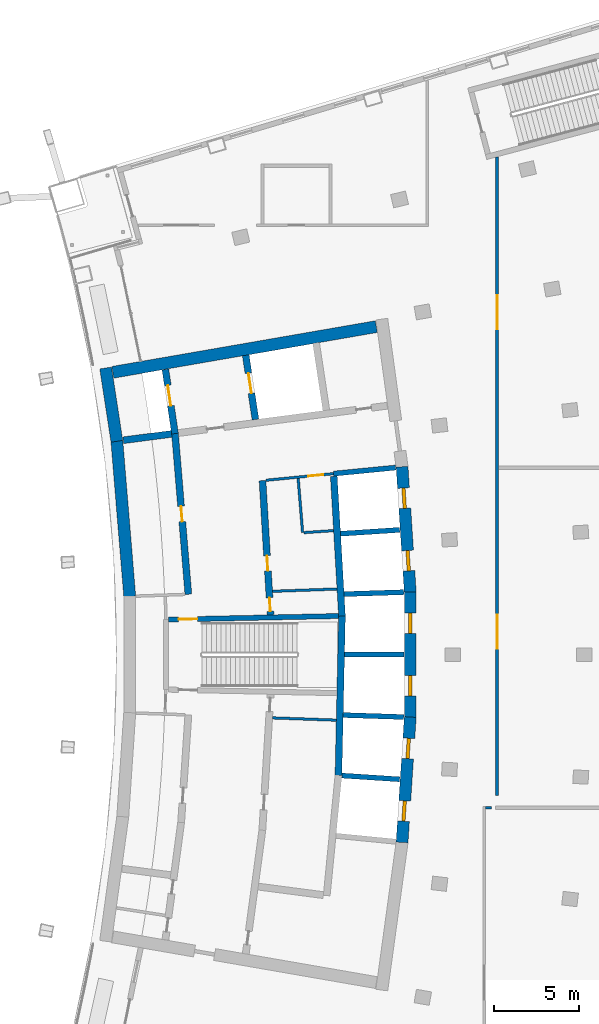
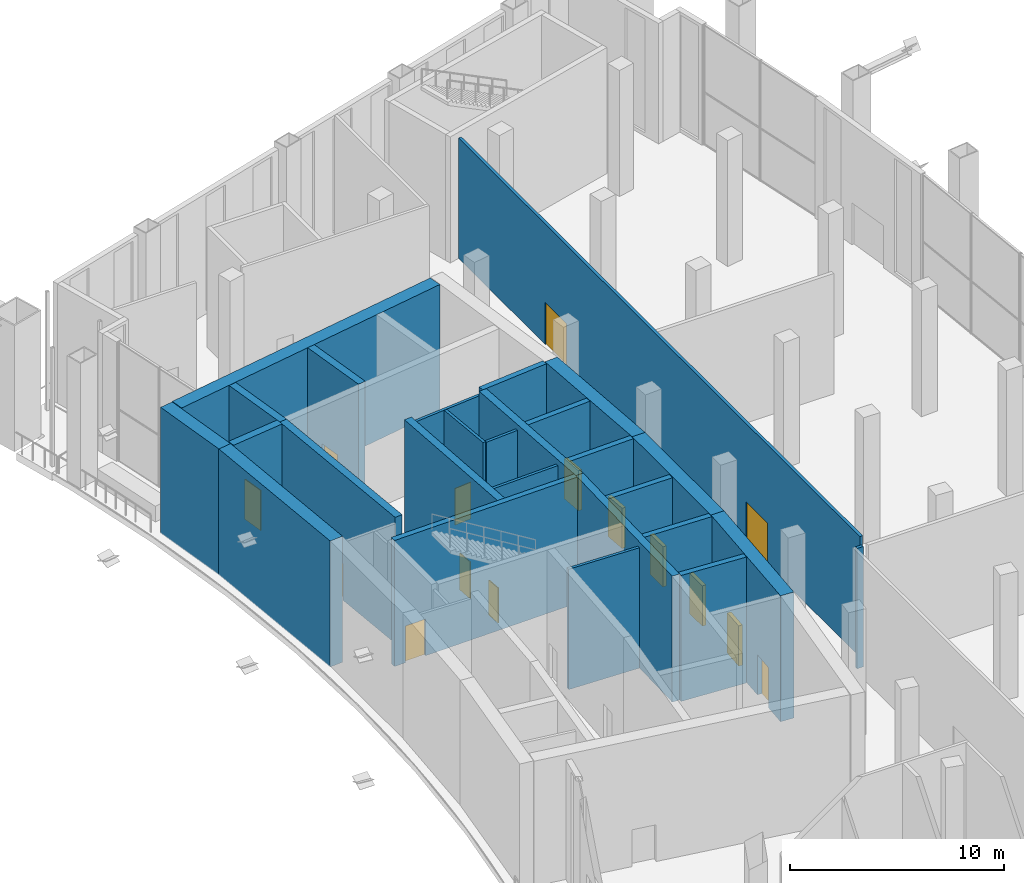
# One storey, part 17 of 26: 27 walls, 15 doors, 15 openings.
"""IFC4 building model written with IfcOpenShell, lengths in metres."""

import ifcopenshell
import ifcopenshell.guid

model = None  # the IFC model being written
_history = None  # IfcOwnerHistory: only IFC2X3 demands one
_inside = {}  # id of a spatial element -> (the spatial element, [elements in it])
_under = {}  # id of a project, library or spatial element -> (it, [spatial elements below it])
_declared = {}  # id of a project -> (the project, [libraries it declares])
_typed = {}  # id of a type object -> (the type object, [elements of that type])
_made_of = {}  # id of a material, layer set ... -> (it, [elements and type objects made of it])


def new_model(schema):
    """Start an empty IFC model of exactly this schema.

    Asked for "IFC4X3", IfcOpenShell would pick the latest addendum, in which some entities
    have other attributes; the version numbers below select the first issue.
    IFC2X3 requires an IfcOwnerHistory on every rooted entity: one is made here for all.
    """
    global model, _history
    if schema == "IFC4X3":
        model = ifcopenshell.file(schema_version=(4, 3, 0, 0))
    else:
        model = ifcopenshell.file(schema=schema)
    _inside.clear()
    _under.clear()
    _declared.clear()
    _typed.clear()
    _made_of.clear()
    _history = None
    if model.schema == "IFC2X3":
        org = make("IfcOrganization", Name="unknown")
        user = make(
            "IfcPersonAndOrganization",
            ThePerson=make("IfcPerson", FamilyName="unknown"),
            TheOrganization=org,
        )
        app = make(
            "IfcApplication",
            ApplicationDeveloper=org,
            Version="unknown",
            ApplicationFullName="unknown",
            ApplicationIdentifier="unknown",
        )
        _history = make(
            "IfcOwnerHistory",
            OwningUser=user,
            OwningApplication=app,
            ChangeAction="ADDED",
            CreationDate=0,
        )
    return model


def make(cls, **values):
    """One entity of the class cls with the attributes given. An attribute that is None is left unset."""
    return model.create_entity(
        cls, **{name: value for name, value in values.items() if value is not None}
    )


def rooted(cls, **values):
    """An entity with a GlobalId (a new one), such as an element, a storey or a relation."""
    return make(cls, GlobalId=ifcopenshell.guid.new(), OwnerHistory=_history, **values)


def si_unit(unit_type, name, prefix=None):
    """IfcSIUnit, for example si_unit("LENGTHUNIT", "METRE", prefix="MILLI")."""
    return make("IfcSIUnit", UnitType=unit_type, Prefix=prefix, Name=name)


def assignment(units):
    """IfcUnitAssignment: the units of a project."""
    return None if units is None else make("IfcUnitAssignment", Units=units)


def point(xyz):
    """IfcCartesianPoint."""
    return None if xyz is None else make("IfcCartesianPoint", Coordinates=xyz)


def direction(xyz):
    """IfcDirection."""
    return None if xyz is None else make("IfcDirection", DirectionRatios=xyz)


def frame(location, z_axis=None, x_axis=None):
    """IfcAxis2Placement3D, a coordinate frame: its origin and axes. An axis left out is left unset."""
    return make(
        "IfcAxis2Placement3D",
        Location=point(location),
        Axis=direction(z_axis),
        RefDirection=direction(x_axis),
    )


def frame_2d(location, x_axis=None):
    """IfcAxis2Placement2D, a coordinate frame in the plane: its origin and x axis."""
    return make(
        "IfcAxis2Placement2D", Location=point(location), RefDirection=direction(x_axis)
    )


def origin():
    """The frame at (0, 0, 0) with its axes left unset."""
    return frame((0.0, 0.0, 0.0))


def place(relative_to, where):
    """IfcLocalPlacement: puts the frame where relative to a parent placement (None: the world)."""
    return make(
        "IfcLocalPlacement", PlacementRelTo=relative_to, RelativePlacement=where
    )


def context(
    kind, dimensions, precision=None, world=None, true_north=None, identifier=None
):
    """IfcGeometricRepresentationContext, for example the 3D "Model" context."""
    return make(
        "IfcGeometricRepresentationContext",
        ContextIdentifier=identifier,
        ContextType=kind,
        CoordinateSpaceDimension=dimensions,
        Precision=precision,
        WorldCoordinateSystem=world,
        TrueNorth=true_north,
    )


def subcontext(parent, identifier, kind, view, scale=None):
    """IfcGeometricRepresentationSubContext, for example "Body" below "Model"."""
    return make(
        "IfcGeometricRepresentationSubContext",
        ContextIdentifier=identifier,
        ContextType=kind,
        ParentContext=parent,
        TargetScale=scale,
        TargetView=view,
    )


def project(units=None, contexts=None):
    """IfcProject with its units and contexts."""
    return rooted(
        "IfcProject",
        Name="project",
        RepresentationContexts=contexts,
        UnitsInContext=assignment(units),
    )


def spatial(cls, under=None, at=None, **own):
    """A site, building, storey or space (cls), placed at a placement, below another one or the project."""
    s = rooted(cls, ObjectPlacement=at, **own)
    if under is not None:
        _under.setdefault(under.id(), (under, []))[1].append(s)
    return s


def profile(cls, at=None, kind="AREA", **sizes):
    """A parametric profile (cls). Its sizes go by their IFC names, for example OverallWidth=200.0."""
    return make(cls, ProfileType=kind, Position=at, **sizes)


def rectangle(**sizes):
    """IfcRectangleProfileDef."""
    return profile("IfcRectangleProfileDef", **sizes)


def extrude(swept, where, along, depth):
    """IfcExtrudedAreaSolid: the profile swept, set in the frame where, extruded along a direction by depth."""
    return make(
        "IfcExtrudedAreaSolid",
        SweptArea=swept,
        Position=where,
        ExtrudedDirection=direction(along),
        Depth=depth,
    )


def shape(context_of_items, identifier, shape_type, items):
    """IfcShapeRepresentation: the items that make up one representation, for example the "Body"."""
    return make(
        "IfcShapeRepresentation",
        ContextOfItems=context_of_items,
        RepresentationIdentifier=identifier,
        RepresentationType=shape_type,
        Items=items,
    )


def material(Name=None, Category=None):
    """IfcMaterial."""
    return make("IfcMaterial", Name=Name, Category=Category)


def layer(
    of_material, thickness, ventilated=None, Name=None, Category=None, Priority=None
):
    """IfcMaterialLayer: one layer of a wall or slab, of a material (None: an air gap)."""
    return make(
        "IfcMaterialLayer",
        Material=of_material,
        LayerThickness=thickness,
        IsVentilated=ventilated,
        Name=Name,
        Category=Category,
        Priority=Priority,
    )


def layer_set(layers, Name=None):
    """IfcMaterialLayerSet."""
    return make("IfcMaterialLayerSet", MaterialLayers=layers, LayerSetName=Name)


def made_of(thing, what):
    """Note that an element or type object is made of a material, layer set ...; save() writes the relation."""
    if what is not None:
        _made_of.setdefault(what.id(), (what, []))[1].append(thing)
    return thing


def type_object(cls, material=None, **own):
    """A type object (cls), such as IfcWallType, which elements share."""
    return made_of(rooted(cls, **own), material)


def element(
    cls,
    number,
    at=None,
    inside=None,
    cuts=None,
    type_object=None,
    material=None,
    context=None,
    identifier="Body",
    shape_type=None,
    held_by="IfcProductDefinitionShape",
    body=None,
    shapes=None,
    **own,
):
    """One element of the class cls, such as IfcWall. Its Tag is "e" and its number.

    at: its placement. inside: the storey or other place that contains it. cuts: it is an
    opening in that element (IfcRelVoidsElement). A single representation is given by context,
    identifier, shape_type and body (its items); several are given by shapes. held_by: the class
    of the entity that holds the representations. save() writes the other relations.
    """
    e = rooted(cls, Tag="e%d" % number, ObjectPlacement=at, **own)
    if body is not None:
        shapes = [shape(context, identifier, shape_type, body)]
    if shapes is not None:
        e.Representation = make(held_by, Representations=shapes)
    if inside is not None:
        _inside.setdefault(inside.id(), (inside, []))[1].append(e)
    if cuts is not None:
        rooted(
            "IfcRelVoidsElement", RelatingBuildingElement=cuts, RelatedOpeningElement=e
        )
    if type_object is not None:
        _typed.setdefault(type_object.id(), (type_object, []))[1].append(e)
    return made_of(e, material)


def fill(opening, filler):
    """IfcRelFillsElement: the door or window that sits in an opening."""
    return rooted(
        "IfcRelFillsElement",
        RelatingOpeningElement=opening,
        RelatedBuildingElement=filler,
    )


def aggregate(whole, parts):
    """IfcRelAggregates: a whole, such as a stair, and the parts it consists of."""
    return rooted("IfcRelAggregates", RelatingObject=whole, RelatedObjects=parts)


def save(model, path):
    """Write the relations noted so far, then the file.

    IfcRelAggregates (storeys below a building ...), IfcRelContainedInSpatialStructure (elements
    in a storey), IfcRelDefinesByType, IfcRelAssociatesMaterial and IfcRelDeclares: one each for
    every whole, place, type object, material and project.
    """
    for whole, parts in _under.values():
        aggregate(whole, parts)
    for where, things in _inside.values():
        rooted(
            "IfcRelContainedInSpatialStructure",
            RelatedElements=things,
            RelatingStructure=where,
        )
    for kind, things in _typed.values():
        rooted("IfcRelDefinesByType", RelatedObjects=things, RelatingType=kind)
    for what, things in _made_of.values():
        rooted("IfcRelAssociatesMaterial", RelatedObjects=things, RelatingMaterial=what)
    for by, libraries in _declared.values():
        rooted("IfcRelDeclares", RelatingContext=by, RelatedDefinitions=libraries)
    model.write(path)


model = new_model("IFC4")

# Units and contexts
model_context = context("Model", 3, precision=1e-05, world=origin(), true_north=direction((0.0, 1.0)))
body_context = subcontext(model_context, "Body", "Model", "MODEL_VIEW")
ifc_project = project(units=[si_unit("LENGTHUNIT", "METRE"), si_unit("AREAUNIT", "SQUARE_METRE"), si_unit("VOLUMEUNIT", "CUBIC_METRE"), si_unit("PLANEANGLEUNIT", "RADIAN"), si_unit("MASSUNIT", "GRAM", prefix="KILO")], contexts=[model_context])

# Site, building, storey
site_placement = place(None, origin())
site = spatial("IfcSite", under=ifc_project, at=site_placement, CompositionType="ELEMENT")
building_placement = place(site_placement, origin())
building = spatial("IfcBuilding", under=site, at=building_placement, Name="Alderwake Tower", CompositionType="ELEMENT")
storey_placement = place(building_placement, frame((0.0, 0.0, 182.0)))
storey = spatial("IfcBuildingStorey", under=building, at=storey_placement, Name="L45", CompositionType="ELEMENT", Elevation=182.0)

# Walls
ifc_material_1 = material(Name="Gypsum shaft wall system, rated")
ifc_layer_1 = layer(ifc_material_1, 0.14990234375)
ifc_layer_set_1 = layer_set([ifc_layer_1], Name="Core riser partition 150")
wall_type_1 = type_object("IfcWallType", Name="Core riser partition 150", PredefinedType="PARTITIONING", material=ifc_layer_set_1)
wall_1_placement = place(storey_placement, frame((25.1904296875, 57.276611328125, 0.0), z_axis=(0.0, 0.0, 1.0), x_axis=(0.99937350076, -0.035392173974, 0.0)))
element("IfcWall", 1, at=wall_1_placement, inside=storey, type_object=wall_type_1, Name="CW/L45/PR-37_+86", PredefinedType="PARTITIONING", context=body_context, shape_type="SweptSolid", body=[
    extrude(rectangle(XDim=3.752685546875, YDim=0.14990234375, at=frame_2d((1.87646484375, 0.0))), origin(), (0.0, 0.0, 1.0), 6.8798828125),
])
wall_2_placement = place(storey_placement, frame((25.191162109375, 64.723388671875, 0.0), z_axis=(0.0, 0.0, 1.0), x_axis=(0.999373627871, 0.035388584556, 0.0)))
element("IfcWall", 2, at=wall_2_placement, inside=storey, type_object=wall_type_1, Name="CW/L45/PR+37_+86", PredefinedType="PARTITIONING", context=body_context, shape_type="SweptSolid", body=[
    extrude(rectangle(XDim=3.79443359375, YDim=0.14990234375, at=frame_2d((1.897216796875, 0.0))), origin(), (0.0, 0.0, 1.0), 6.8798828125),
])
ifc_material_2 = material(Name="Gypsum shaft wall system, rated")
ifc_layer_2 = layer(ifc_material_2, 0.14990234375)
ifc_layer_set_2 = layer_set([ifc_layer_2], Name="Core room partition 150")
wall_type_2 = type_object("IfcWallType", Name="Core room partition 150", PredefinedType="PARTITIONING", material=ifc_layer_set_2)
wall_3_placement = place(storey_placement, frame((26.9599609375, 68.170654296875, 0.0), z_axis=(0.0, 0.0, 1.0), x_axis=(-0.081803626558, 0.996648466954, 0.0)))
element("IfcWall", 3, at=wall_3_placement, inside=storey, type_object=wall_type_2, Name="CW/L45/PA+107_+70", PredefinedType="PARTITIONING", context=body_context, shape_type="SweptSolid", body=[
    extrude(rectangle(XDim=3.205322265625, YDim=0.14990234375, at=frame_2d((1.6025390625, 0.0))), origin(), (0.0, 0.0, 1.0), 6.8798828125),
])
wall_4_placement = place(storey_placement, frame((27.034912109375, 68.175537109375, 0.0), z_axis=(0.0, 0.0, 1.0), x_axis=(0.997757929195, 0.066926188655, 0.0)))
element("IfcWall", 4, at=wall_4_placement, inside=storey, type_object=wall_type_2, Name="CW/L45/PR+70_+107", PredefinedType="PARTITIONING", context=body_context, shape_type="SweptSolid", body=[
    extrude(rectangle(XDim=1.7509765625, YDim=0.14990234375, at=frame_2d((0.87548828125, 0.0))), origin(), (0.0, 0.0, 1.0), 6.8798828125),
])

# Wall, opening, door
wall_5_placement = place(storey_placement, frame((28.780517578125, 71.644287109375, 0.0), z_axis=(0.0, 0.0, 1.0), x_axis=(-0.995250000627, -0.097352125046, 0.0)))
wall_5 = element("IfcWall", 5, at=wall_5_placement, inside=storey, type_object=wall_type_2, Name="CW/L45/PR+102_+86", PredefinedType="PARTITIONING", context=body_context, shape_type="SweptSolid", body=[
    extrude(rectangle(XDim=4.0, YDim=0.14990234375, at=frame_2d((2.0, 0.0))), origin(), (0.0, 0.0, 1.0), 6.8798828125),
])
opening_1_placement = place(wall_5_placement, frame((0.60009765625, 0.0, 0.0)))
opening_1 = element("IfcOpeningElement", 6, at=opening_1_placement, cuts=wall_5, Name="Opening C022", PredefinedType="OPENING", context=body_context, shape_type="SweptSolid", body=[
    extrude(rectangle(XDim=0.89990234375, YDim=2.10009765625, at=frame_2d((0.449951171875, 1.050048828125))), frame((0.0, 0.0849609375, 0.0), z_axis=(0.0, -1.0, 0.0), x_axis=(1.0, 0.0, 0.0)), (0.0, 0.0, 1.0), 0.169921875),
])
ifc_material_3 = material(Name="Painted steel leaf", Category="steel")
door_type_1 = type_object("IfcDoorType", Name="Core room door 900", OperationType="SINGLE_SWING_LEFT", PredefinedType="DOOR", material=ifc_material_3)
door_1_placement = place(opening_1_placement, origin())
door_1 = element("IfcDoor", 7, at=door_1_placement, inside=storey, type_object=door_type_1, Name="Room door", OperationType="SINGLE_SWING_LEFT", OverallHeight=2.10009765625, OverallWidth=0.89990234375, PredefinedType="DOOR", context=body_context, shape_type="SweptSolid", body=[
    extrude(rectangle(XDim=0.89990234375, YDim=2.10009765625, at=frame_2d((0.449951171875, 1.050048828125))), frame((0.0, 0.02490234375, 0.0), z_axis=(0.0, -1.0, 0.0), x_axis=(1.0, 0.0, 0.0)), (0.0, 0.0, 1.0), 0.050048828125),
])
fill(opening_1, door_1)

# Walls
ifc_material_4 = material(Name="Concrete C70/85", Category="concrete")
ifc_layer_3 = layer(ifc_material_4, 0.699951171875)
ifc_layer_set_3 = layer_set([ifc_layer_3], Name="Core wall outer 700 C70-85")
wall_type_3 = type_object("IfcWallType", Name="Core wall outer 700 C70-85", PredefinedType="SHEAR", material=ifc_layer_set_3)
wall_6_placement = place(storey_placement, frame((16.79052734375, 64.4111328125, 0.0), z_axis=(0.0, 0.0, 1.0), x_axis=(-0.082616907099, 0.996581379849, 0.0)))
element("IfcWall", 8, at=wall_6_placement, inside=storey, type_object=wall_type_3, Name="Core wall CW.040", PredefinedType="SHEAR", context=body_context, shape_type="SweptSolid", body=[
    extrude(rectangle(XDim=9.193359375, YDim=0.699951171875, at=frame_2d((4.5966796875, 0.0))), origin(), (0.0, 0.0, 1.0), 7.199951171875),
])
wall_7_placement = place(storey_placement, frame((16.033935546875, 73.547607421875, 0.0), z_axis=(0.0, 0.0, 1.0), x_axis=(-0.151897483467, 0.988396253795, 0.0)))
element("IfcWall", 9, at=wall_7_placement, inside=storey, type_object=wall_type_3, Name="Core wall CW.039", PredefinedType="SHEAR", context=body_context, shape_type="SweptSolid", body=[
    extrude(rectangle(XDim=4.365234375, YDim=0.699951171875, at=frame_2d((2.1826171875, 0.0))), origin(), (0.0, 0.0, 1.0), 7.199951171875),
])

# Wall, openings, doors
wall_8_placement = place(storey_placement, frame((32.810302734375, 49.9482421875, 0.0), z_axis=(0.0, 0.0, 1.0), x_axis=(0.065009096017, 0.99788467141, 0.0)))
wall_8 = element("IfcWall", 10, at=wall_8_placement, inside=storey, type_object=wall_type_3, Name="Core wall CW.011", PredefinedType="SHEAR", context=body_context, shape_type="SweptSolid", body=[
    extrude(rectangle(XDim=7.39453125, YDim=0.699951171875, at=frame_2d((3.697265625, 0.0))), origin(), (0.0, 0.0, 1.0), 7.199951171875),
])
opening_2_placement = place(wall_8_placement, frame((1.255126953125, 0.0, 0.0)))
opening_2 = element("IfcOpeningElement", 11, at=opening_2_placement, cuts=wall_8, Name="Opening LD-HP1", PredefinedType="OPENING", context=body_context, shape_type="SweptSolid", body=[
    extrude(rectangle(XDim=1.199951171875, YDim=2.300048828125, at=frame_2d((0.60009765625, 1.14990234375))), frame((0.0, 0.35986328125, 0.0), z_axis=(0.0, -1.0, 0.0), x_axis=(1.0, 0.0, 0.0)), (0.0, 0.0, 1.0), 0.719970703125),
])
opening_3_placement = place(wall_8_placement, frame((4.9404296875, 0.0, 0.0)))
opening_3 = element("IfcOpeningElement", 12, at=opening_3_placement, cuts=wall_8, Name="Opening LD-HP2", PredefinedType="OPENING", context=body_context, shape_type="SweptSolid", body=[
    extrude(rectangle(XDim=1.199951171875, YDim=2.300048828125, at=frame_2d((0.60009765625, 1.14990234375))), frame((0.0, 0.35986328125, 0.0), z_axis=(0.0, -1.0, 0.0), x_axis=(1.0, 0.0, 0.0)), (0.0, 0.0, 1.0), 0.719970703125),
])
ifc_material_5 = material(Name="Stainless steel sliding leaf", Category="steel")
door_type_2 = type_object("IfcDoorType", Name="Lift landing door 1200", OperationType="SLIDING_TO_LEFT", PredefinedType="DOOR", material=ifc_material_5)
door_2_placement = place(opening_2_placement, origin())
door_2 = element("IfcDoor", 13, at=door_2_placement, inside=storey, type_object=door_type_2, Name="Lift landing door HP1", OperationType="SLIDING_TO_LEFT", OverallHeight=2.300048828125, OverallWidth=1.199951171875, PredefinedType="DOOR", context=body_context, shape_type="SweptSolid", body=[
    extrude(rectangle(XDim=1.199951171875, YDim=2.300048828125, at=frame_2d((0.60009765625, 1.14990234375))), frame((0.0, 0.10009765625, 0.0), z_axis=(0.0, -1.0, 0.0), x_axis=(1.0, 0.0, 0.0)), (0.0, 0.0, 1.0), 0.199951171875),
])
fill(opening_2, door_2)
door_3_placement = place(opening_3_placement, origin())
door_3 = element("IfcDoor", 14, at=door_3_placement, inside=storey, type_object=door_type_2, Name="Lift landing door HP2", OperationType="SLIDING_TO_LEFT", OverallHeight=2.300048828125, OverallWidth=1.199951171875, PredefinedType="DOOR", context=body_context, shape_type="SweptSolid", body=[
    extrude(rectangle(XDim=1.199951171875, YDim=2.300048828125, at=frame_2d((0.60009765625, 1.14990234375))), frame((0.0, 0.10009765625, 0.0), z_axis=(0.0, -1.0, 0.0), x_axis=(1.0, 0.0, 0.0)), (0.0, 0.0, 1.0), 0.199951171875),
])
fill(opening_3, door_3)

wall_9_placement = place(storey_placement, frame((33.2900390625, 57.30322265625, 0.0), z_axis=(0.0, 0.0, 1.0), x_axis=(0.0, 1.0, 0.0)))
wall_9 = element("IfcWall", 15, at=wall_9_placement, inside=storey, type_object=wall_type_3, Name="Core wall CW.013", PredefinedType="SHEAR", context=body_context, shape_type="SweptSolid", body=[
    extrude(rectangle(XDim=7.3935546875, YDim=0.699951171875, at=frame_2d((3.69677734375, 0.0))), origin(), (0.0, 0.0, 1.0), 7.199951171875),
])
opening_4_placement = place(wall_9_placement, frame((1.254150390625, 0.0, 0.0)))
opening_4 = element("IfcOpeningElement", 16, at=opening_4_placement, cuts=wall_9, Name="Opening LD-HP3", PredefinedType="OPENING", context=body_context, shape_type="SweptSolid", body=[
    extrude(rectangle(XDim=1.199951171875, YDim=2.300048828125, at=frame_2d((0.60009765625, 1.14990234375))), frame((0.0, 0.35986328125, 0.0), z_axis=(0.0, -1.0, 0.0), x_axis=(1.0, 0.0, 0.0)), (0.0, 0.0, 1.0), 0.719970703125),
])
opening_5_placement = place(wall_9_placement, frame((4.939208984375, 0.0, 0.0)))
opening_5 = element("IfcOpeningElement", 17, at=opening_5_placement, cuts=wall_9, Name="Opening LD-HP4", PredefinedType="OPENING", context=body_context, shape_type="SweptSolid", body=[
    extrude(rectangle(XDim=1.199951171875, YDim=2.300048828125, at=frame_2d((0.60009765625, 1.14990234375))), frame((0.0, 0.35986328125, 0.0), z_axis=(0.0, -1.0, 0.0), x_axis=(1.0, 0.0, 0.0)), (0.0, 0.0, 1.0), 0.719970703125),
])
door_4_placement = place(opening_4_placement, origin())
door_4 = element("IfcDoor", 18, at=door_4_placement, inside=storey, type_object=door_type_2, Name="Lift landing door HP3", OperationType="SLIDING_TO_LEFT", OverallHeight=2.300048828125, OverallWidth=1.199951171875, PredefinedType="DOOR", context=body_context, shape_type="SweptSolid", body=[
    extrude(rectangle(XDim=1.199951171875, YDim=2.300048828125, at=frame_2d((0.60009765625, 1.14990234375))), frame((0.0, 0.10009765625, 0.0), z_axis=(0.0, -1.0, 0.0), x_axis=(1.0, 0.0, 0.0)), (0.0, 0.0, 1.0), 0.199951171875),
])
fill(opening_4, door_4)
door_5_placement = place(opening_5_placement, origin())
door_5 = element("IfcDoor", 19, at=door_5_placement, inside=storey, type_object=door_type_2, Name="Lift landing door HP4", OperationType="SLIDING_TO_LEFT", OverallHeight=2.300048828125, OverallWidth=1.199951171875, PredefinedType="DOOR", context=body_context, shape_type="SweptSolid", body=[
    extrude(rectangle(XDim=1.199951171875, YDim=2.300048828125, at=frame_2d((0.60009765625, 1.14990234375))), frame((0.0, 0.10009765625, 0.0), z_axis=(0.0, -1.0, 0.0), x_axis=(1.0, 0.0, 0.0)), (0.0, 0.0, 1.0), 0.199951171875),
])
fill(opening_5, door_5)

wall_10_placement = place(storey_placement, frame((33.291015625, 64.6728515625, 0.0), z_axis=(0.0, 0.0, 1.0), x_axis=(-0.065009096017, 0.99788467141, 0.0)))
wall_10 = element("IfcWall", 20, at=wall_10_placement, inside=storey, type_object=wall_type_3, Name="Core wall CW.010", PredefinedType="SHEAR", context=body_context, shape_type="SweptSolid", body=[
    extrude(rectangle(XDim=7.39453125, YDim=0.699951171875, at=frame_2d((3.697265625, 0.0))), origin(), (0.0, 0.0, 1.0), 7.199951171875),
])
opening_6_placement = place(wall_10_placement, frame((1.25390625, 0.0, 0.0)))
opening_6 = element("IfcOpeningElement", 21, at=opening_6_placement, cuts=wall_10, Name="Opening LD-HP5", PredefinedType="OPENING", context=body_context, shape_type="SweptSolid", body=[
    extrude(rectangle(XDim=1.199951171875, YDim=2.300048828125, at=frame_2d((0.60009765625, 1.14990234375))), frame((0.0, 0.35986328125, 0.0), z_axis=(0.0, -1.0, 0.0), x_axis=(1.0, 0.0, 0.0)), (0.0, 0.0, 1.0), 0.719970703125),
])
opening_7_placement = place(wall_10_placement, frame((4.939208984375, 0.0, 0.0)))
opening_7 = element("IfcOpeningElement", 22, at=opening_7_placement, cuts=wall_10, Name="Opening LD-HP6", PredefinedType="OPENING", context=body_context, shape_type="SweptSolid", body=[
    extrude(rectangle(XDim=1.199951171875, YDim=2.300048828125, at=frame_2d((0.60009765625, 1.14990234375))), frame((0.0, 0.35986328125, 0.0), z_axis=(0.0, -1.0, 0.0), x_axis=(1.0, 0.0, 0.0)), (0.0, 0.0, 1.0), 0.719970703125),
])
door_6_placement = place(opening_6_placement, origin())
door_6 = element("IfcDoor", 23, at=door_6_placement, inside=storey, type_object=door_type_2, Name="Lift landing door HP5", OperationType="SLIDING_TO_LEFT", OverallHeight=2.300048828125, OverallWidth=1.199951171875, PredefinedType="DOOR", context=body_context, shape_type="SweptSolid", body=[
    extrude(rectangle(XDim=1.199951171875, YDim=2.300048828125, at=frame_2d((0.60009765625, 1.14990234375))), frame((0.0, 0.10009765625, 0.0), z_axis=(0.0, -1.0, 0.0), x_axis=(1.0, 0.0, 0.0)), (0.0, 0.0, 1.0), 0.199951171875),
])
fill(opening_6, door_6)
door_7_placement = place(opening_7_placement, origin())
door_7 = element("IfcDoor", 24, at=door_7_placement, inside=storey, type_object=door_type_2, Name="Lift landing door HP6", OperationType="SLIDING_TO_LEFT", OverallHeight=2.300048828125, OverallWidth=1.199951171875, PredefinedType="DOOR", context=body_context, shape_type="SweptSolid", body=[
    extrude(rectangle(XDim=1.199951171875, YDim=2.300048828125, at=frame_2d((0.60009765625, 1.14990234375))), frame((0.0, 0.10009765625, 0.0), z_axis=(0.0, -1.0, 0.0), x_axis=(1.0, 0.0, 0.0)), (0.0, 0.0, 1.0), 0.199951171875),
])
fill(opening_7, door_7)

# Walls
wall_11_placement = place(storey_placement, frame((15.79443359375, 77.606689453125, 0.0), z_axis=(0.0, 0.0, 1.0), x_axis=(0.985301369349, 0.170825090542, 0.0)))
element("IfcWall", 25, at=wall_11_placement, inside=storey, type_object=wall_type_3, Name="Core wall CW.055", PredefinedType="SHEAR", context=body_context, shape_type="SweptSolid", body=[
    extrude(rectangle(XDim=15.732421875, YDim=0.699951171875, at=frame_2d((7.8662109375, 0.0))), origin(), (0.0, 0.0, 1.0), 7.199951171875),
])
ifc_material_6 = material(Name="Concrete C70/85", Category="concrete")
ifc_layer_4 = layer(ifc_material_6, 0.300048828125)
ifc_layer_set_4 = layer_set([ifc_layer_4], Name="Core wall shaft 300 C70-85")
wall_type_4 = type_object("IfcWallType", Name="Core wall shaft 300 C70-85", PredefinedType="SHEAR", material=ifc_layer_set_4)
wall_12_placement = place(storey_placement, frame((29.268798828125, 53.884521484375, 0.0), z_axis=(0.0, 0.0, 1.0), x_axis=(0.997884450261, -0.065012490553, 0.0)))
element("IfcWall", 26, at=wall_12_placement, inside=storey, type_object=wall_type_4, Name="Core wall CW.078", PredefinedType="SHEAR", context=body_context, shape_type="SweptSolid", body=[
    extrude(rectangle(XDim=3.409912109375, YDim=0.300048828125, at=frame_2d((1.705078125, 0.0))), origin(), (0.0, 0.0, 1.0), 7.199951171875),
])
wall_13_placement = place(storey_placement, frame((29.347412109375, 57.443603515625, 0.0), z_axis=(0.0, 0.0, 1.0), x_axis=(0.999470674121, -0.03253262319, 0.0)))
element("IfcWall", 27, at=wall_13_placement, inside=storey, type_object=wall_type_4, Name="Core wall CW.075", PredefinedType="SHEAR", context=body_context, shape_type="SweptSolid", body=[
    extrude(rectangle(XDim=3.564697265625, YDim=0.300048828125, at=frame_2d((1.7822265625, 0.0))), origin(), (0.0, 0.0, 1.0), 7.199951171875),
])
wall_14_placement = place(storey_placement, frame((29.426025390625, 61.0, 0.0), z_axis=(0.0, 0.0, 1.0), x_axis=(1.0, 0.0, 0.0)))
element("IfcWall", 28, at=wall_14_placement, inside=storey, type_object=wall_type_4, Name="Core wall CW.048", PredefinedType="SHEAR", context=body_context, shape_type="SweptSolid", body=[
    extrude(rectangle(XDim=3.484130859375, YDim=0.300048828125, at=frame_2d((1.7421875, 0.0))), origin(), (0.0, 0.0, 1.0), 7.199951171875),
])
wall_15_placement = place(storey_placement, frame((29.401611328125, 64.558349609375, 0.0), z_axis=(0.0, 0.0, 1.0), x_axis=(0.999472422829, 0.032478854739, 0.0)))
element("IfcWall", 29, at=wall_15_placement, inside=storey, type_object=wall_type_4, Name="Core wall CW.058", PredefinedType="SHEAR", context=body_context, shape_type="SweptSolid", body=[
    extrude(rectangle(XDim=3.510498046875, YDim=0.300048828125, at=frame_2d((1.75537109375, 0.0))), origin(), (0.0, 0.0, 1.0), 7.199951171875),
])
wall_16_placement = place(storey_placement, frame((29.193603515625, 68.110595703125, 0.0), z_axis=(0.0, 0.0, 1.0), x_axis=(0.997884751549, 0.065007865878, 0.0)))
element("IfcWall", 30, at=wall_16_placement, inside=storey, type_object=wall_type_4, Name="Core wall CW.061", PredefinedType="SHEAR", context=body_context, shape_type="SweptSolid", body=[
    extrude(rectangle(XDim=3.485107421875, YDim=0.300048828125, at=frame_2d((1.74267578125, 0.0))), origin(), (0.0, 0.0, 1.0), 7.199951171875),
])
wall_17_placement = place(storey_placement, frame((28.780517578125, 71.644287109375, 0.0), z_axis=(0.0, 0.0, 1.0), x_axis=(0.995245736737, 0.097395705788, 0.0)))
element("IfcWall", 31, at=wall_17_placement, inside=storey, type_object=wall_type_4, Name="Core wall CW.049", PredefinedType="SHEAR", context=body_context, shape_type="SweptSolid", body=[
    extrude(rectangle(XDim=3.669677734375, YDim=0.300048828125, at=frame_2d((1.8349609375, 0.0))), origin(), (0.0, 0.0, 1.0), 7.199951171875),
])

# Wall, opening, door
ifc_material_7 = material(Name="Concrete C70/85", Category="concrete")
ifc_layer_5 = layer(ifc_material_7, 0.39990234375)
ifc_layer_set_5 = layer_set([ifc_layer_5], Name="Core wall spine 400 C70-85")
wall_type_5 = type_object("IfcWallType", Name="Core wall spine 400 C70-85", PredefinedType="SHEAR", material=ifc_layer_set_5)
wall_18_placement = place(storey_placement, frame((19.452392578125, 74.014892578125, 0.0), z_axis=(0.0, 0.0, 1.0), x_axis=(0.082628585297, -0.996580411654, 0.0)))
wall_18 = element("IfcWall", 32, at=wall_18_placement, inside=storey, type_object=wall_type_5, Name="Core wall CW.031", PredefinedType="SHEAR", context=body_context, shape_type="SweptSolid", body=[
    extrude(rectangle(XDim=9.499267578125, YDim=0.39990234375, at=frame_2d((4.74951171875, 0.0))), origin(), (0.0, 0.0, 1.0), 7.199951171875),
])
opening_8_placement = place(wall_18_placement, frame((4.302978515625, 0.0, 0.0)))
opening_8 = element("IfcOpeningElement", 33, at=opening_8_placement, cuts=wall_18, Name="Opening C051", PredefinedType="OPENING", context=body_context, shape_type="SweptSolid", body=[
    extrude(rectangle(XDim=0.89990234375, YDim=2.10009765625, at=frame_2d((0.449951171875, 1.050048828125))), frame((0.0, 0.2099609375, 0.0), z_axis=(0.0, -1.0, 0.0), x_axis=(1.0, 0.0, 0.0)), (0.0, 0.0, 1.0), 0.419921875),
])
door_8_placement = place(opening_8_placement, origin())
door_8 = element("IfcDoor", 34, at=door_8_placement, inside=storey, type_object=door_type_1, Name="Room door", OperationType="SINGLE_SWING_RIGHT", OverallHeight=2.10009765625, OverallWidth=0.89990234375, PredefinedType="DOOR", context=body_context, shape_type="SweptSolid", body=[
    extrude(rectangle(XDim=0.89990234375, YDim=2.10009765625, at=frame_2d((0.449951171875, 1.050048828125))), frame((0.0, 0.02490234375, 0.0), z_axis=(0.0, -1.0, 0.0), x_axis=(1.0, 0.0, 0.0)), (0.0, 0.0, 1.0), 0.050048828125),
])
fill(opening_8, door_8)

wall_19_placement = place(storey_placement, frame((19.4541015625, 74.000732421875, 0.0), z_axis=(0.0, 0.0, 1.0), x_axis=(-0.148540738889, 0.988906289236, 0.0)))
wall_19 = element("IfcWall", 35, at=wall_19_placement, inside=storey, type_object=wall_type_5, Name="Core wall CW.030", PredefinedType="SHEAR", context=body_context, shape_type="SweptSolid", body=[
    extrude(rectangle(XDim=3.814697265625, YDim=0.39990234375, at=frame_2d((1.9072265625, 0.0))), origin(), (0.0, 0.0, 1.0), 7.199951171875),
])
opening_9_placement = place(wall_19_placement, frame((1.660888671875, 0.0, 0.0)))
opening_9 = element("IfcOpeningElement", 36, at=opening_9_placement, cuts=wall_19, Name="Opening LD-FF1", PredefinedType="OPENING", context=body_context, shape_type="SweptSolid", body=[
    extrude(rectangle(XDim=1.199951171875, YDim=2.300048828125, at=frame_2d((0.60009765625, 1.14990234375))), frame((0.0, 0.2099609375, 0.0), z_axis=(0.0, -1.0, 0.0), x_axis=(1.0, 0.0, 0.0)), (0.0, 0.0, 1.0), 0.419921875),
])
door_9_placement = place(opening_9_placement, origin())
door_9 = element("IfcDoor", 37, at=door_9_placement, inside=storey, type_object=door_type_2, Name="Lift landing door FF1", OperationType="SLIDING_TO_LEFT", OverallHeight=2.300048828125, OverallWidth=1.199951171875, PredefinedType="DOOR", context=body_context, shape_type="SweptSolid", body=[
    extrude(rectangle(XDim=1.199951171875, YDim=2.300048828125, at=frame_2d((0.60009765625, 1.14990234375))), frame((0.0, 0.02490234375, 0.0), z_axis=(0.0, -1.0, 0.0), x_axis=(1.0, 0.0, 0.0)), (0.0, 0.0, 1.0), 0.050048828125),
])
fill(opening_9, door_9)

# Wall, openings, doors
wall_20_placement = place(storey_placement, frame((25.073974609375, 63.335693359375, 0.0), z_axis=(0.0, 0.0, 1.0), x_axis=(-0.059848641072, 0.998207463487, 0.0)))
wall_20 = element("IfcWall", 38, at=wall_20_placement, inside=storey, type_object=wall_type_5, Name="Core wall CW.045", PredefinedType="SHEAR", context=body_context, shape_type="SweptSolid", body=[
    extrude(rectangle(XDim=7.913818359375, YDim=0.39990234375, at=frame_2d((3.95703125, 0.0))), origin(), (0.0, 0.0, 1.0), 7.199951171875),
])
opening_10_placement = place(wall_20_placement, frame((0.216064453125, 0.0, 0.0)))
opening_10 = element("IfcOpeningElement", 39, at=opening_10_placement, cuts=wall_20, Name="Opening C005", PredefinedType="OPENING", context=body_context, shape_type="SweptSolid", body=[
    extrude(rectangle(XDim=0.800048828125, YDim=2.0, at=frame_2d((0.39990234375, 1.0))), frame((0.0, 0.2099609375, 0.0), z_axis=(0.0, -1.0, 0.0), x_axis=(1.0, 0.0, 0.0)), (0.0, 0.0, 1.0), 0.419921875),
])
opening_11_placement = place(wall_20_placement, frame((2.590087890625, 0.0, 0.0)))
opening_11 = element("IfcOpeningElement", 40, at=opening_11_placement, cuts=wall_20, Name="Opening C058", PredefinedType="OPENING", context=body_context, shape_type="SweptSolid", body=[
    extrude(rectangle(XDim=0.89990234375, YDim=2.10009765625, at=frame_2d((0.449951171875, 1.050048828125))), frame((0.0, 0.2099609375, 0.0), z_axis=(0.0, -1.0, 0.0), x_axis=(1.0, 0.0, 0.0)), (0.0, 0.0, 1.0), 0.419921875),
])
door_10_placement = place(opening_11_placement, origin())
door_10 = element("IfcDoor", 41, at=door_10_placement, inside=storey, type_object=door_type_1, Name="Room door", OperationType="SINGLE_SWING_LEFT", OverallHeight=2.10009765625, OverallWidth=0.89990234375, PredefinedType="DOOR", context=body_context, shape_type="SweptSolid", body=[
    extrude(rectangle(XDim=0.89990234375, YDim=2.10009765625, at=frame_2d((0.449951171875, 1.050048828125))), frame((0.0, 0.02490234375, 0.0), z_axis=(0.0, -1.0, 0.0), x_axis=(1.0, 0.0, 0.0)), (0.0, 0.0, 1.0), 0.050048828125),
])
fill(opening_11, door_10)
ifc_material_8 = material(Name="Painted steel leaf, rated", Category="steel")
door_type_3 = type_object("IfcDoorType", Name="Riser access door 800", OperationType="SINGLE_SWING_LEFT", PredefinedType="DOOR", material=ifc_material_8)
door_11_placement = place(opening_10_placement, origin())
door_11 = element("IfcDoor", 42, at=door_11_placement, inside=storey, type_object=door_type_3, Name="Riser access door", OperationType="SINGLE_SWING_LEFT", OverallHeight=2.0, OverallWidth=0.800048828125, PredefinedType="DOOR", context=body_context, shape_type="SweptSolid", body=[
    extrude(rectangle(XDim=0.800048828125, YDim=2.0, at=frame_2d((0.39990234375, 1.0))), frame((0.0, 0.02490234375, 0.0), z_axis=(0.0, -1.0, 0.0), x_axis=(1.0, 0.0, 0.0)), (0.0, 0.0, 1.0), 0.050048828125),
])
fill(opening_10, door_11)

# Wall, opening, door
wall_21_placement = place(storey_placement, frame((24.186279296875, 74.82861328125, 0.0), z_axis=(0.0, 0.0, 1.0), x_axis=(-0.149604879253, 0.988745862243, 0.0)))
wall_21 = element("IfcWall", 43, at=wall_21_placement, inside=storey, type_object=wall_type_5, Name="Core wall CW.044", PredefinedType="SHEAR", context=body_context, shape_type="SweptSolid", body=[
    extrude(rectangle(XDim=3.823486328125, YDim=0.39990234375, at=frame_2d((1.91162109375, 0.0))), origin(), (0.0, 0.0, 1.0), 7.199951171875),
])
opening_12_placement = place(wall_21_placement, frame((1.561767578125, 0.0, 0.0)))
opening_12 = element("IfcOpeningElement", 44, at=opening_12_placement, cuts=wall_21, Name="Opening LD-FF2", PredefinedType="OPENING", context=body_context, shape_type="SweptSolid", body=[
    extrude(rectangle(XDim=1.199951171875, YDim=2.300048828125, at=frame_2d((0.60009765625, 1.14990234375))), frame((0.0, 0.2099609375, 0.0), z_axis=(0.0, -1.0, 0.0), x_axis=(1.0, 0.0, 0.0)), (0.0, 0.0, 1.0), 0.419921875),
])
door_12_placement = place(opening_12_placement, origin())
door_12 = element("IfcDoor", 45, at=door_12_placement, inside=storey, type_object=door_type_2, Name="Lift landing door FF2", OperationType="SLIDING_TO_LEFT", OverallHeight=2.300048828125, OverallWidth=1.199951171875, PredefinedType="DOOR", context=body_context, shape_type="SweptSolid", body=[
    extrude(rectangle(XDim=1.199951171875, YDim=2.300048828125, at=frame_2d((0.60009765625, 1.14990234375))), frame((0.0, 0.02490234375, 0.0), z_axis=(0.0, -1.0, 0.0), x_axis=(1.0, 0.0, 0.0)), (0.0, 0.0, 1.0), 0.050048828125),
])
fill(opening_12, door_12)

# Walls
wall_22_placement = place(storey_placement, frame((29.06884765625, 53.889404296875, 0.0), z_axis=(0.0, 0.0, 1.0), x_axis=(0.022115148322, 0.9997554302, 0.0)))
element("IfcWall", 46, at=wall_22_placement, inside=storey, type_object=wall_type_5, Name="Core wall CW.008", PredefinedType="SHEAR", context=body_context, shape_type="SweptSolid", body=[
    extrude(rectangle(XDim=9.39453125, YDim=0.39990234375, at=frame_2d((4.697265625, 0.0))), origin(), (0.0, 0.0, 1.0), 7.199951171875),
])
wall_23_placement = place(storey_placement, frame((29.27685546875, 63.2646484375, 0.0), z_axis=(0.0, 0.0, 1.0), x_axis=(-0.0584546922, 0.998290062537, 0.0)))
element("IfcWall", 47, at=wall_23_placement, inside=storey, type_object=wall_type_5, Name="Core wall CW.002", PredefinedType="SHEAR", context=body_context, shape_type="SweptSolid", body=[
    extrude(rectangle(XDim=8.24462890625, YDim=0.39990234375, at=frame_2d((4.122314453125, 0.0))), origin(), (0.0, 0.0, 1.0), 7.199951171875),
])
wall_24_placement = place(storey_placement, frame((16.4091796875, 73.609619140625, 0.0), z_axis=(0.0, 0.0, 1.0), x_axis=(0.991557657486, 0.129666541102, 0.0)))
element("IfcWall", 48, at=wall_24_placement, inside=storey, type_object=wall_type_5, Name="Core wall CW.051", PredefinedType="SHEAR", context=body_context, shape_type="SweptSolid", body=[
    extrude(rectangle(XDim=2.869384765625, YDim=0.39990234375, at=frame_2d((1.4345703125, 0.0))), origin(), (0.0, 0.0, 1.0), 7.199951171875),
])

# Wall, opening, door
ifc_material_9 = material(Name="Concrete C70/85", Category="concrete")
ifc_layer_6 = layer(ifc_material_9, 0.300048828125)
ifc_layer_set_6 = layer_set([ifc_layer_6], Name="Core wall stair enclosure 300 C70-85")
wall_type_6 = type_object("IfcWallType", Name="Core wall stair enclosure 300 C70-85", PredefinedType="SHEAR", material=ifc_layer_set_6)
wall_25_placement = place(storey_placement, frame((19.068603515625, 63.060791015625, 0.0), z_axis=(0.0, 0.0, 1.0), x_axis=(0.999783553773, 0.02080494185, 0.0)))
wall_25 = element("IfcWall", 49, at=wall_25_placement, inside=storey, type_object=wall_type_6, Name="Core wall CW.057", PredefinedType="SHEAR", context=body_context, shape_type="SweptSolid", body=[
    extrude(rectangle(XDim=10.009765625, YDim=0.300048828125, at=frame_2d((5.0048828125, 0.0))), origin(), (0.0, 0.0, 1.0), 7.199951171875),
])
opening_13_placement = place(wall_25_placement, frame((0.60009765625, 0.0, 0.0)))
opening_13 = element("IfcOpeningElement", 50, at=opening_13_placement, cuts=wall_25, Name="Opening C064", PredefinedType="OPENING", context=body_context, shape_type="SweptSolid", body=[
    extrude(rectangle(XDim=1.10009765625, YDim=2.10009765625, at=frame_2d((0.550048828125, 1.050048828125))), frame((0.0, 0.159912109375, 0.0), z_axis=(0.0, -1.0, 0.0), x_axis=(1.0, 0.0, 0.0)), (0.0, 0.0, 1.0), 0.320068359375),
])
ifc_material_10 = material(Name="Steel-framed fire door leaf", Category="steel")
door_type_4 = type_object("IfcDoorType", Name="Core stair door 1100 fire-rated", OperationType="SINGLE_SWING_LEFT", PredefinedType="DOOR", material=ifc_material_10)
door_13_placement = place(opening_13_placement, origin())
door_13 = element("IfcDoor", 51, at=door_13_placement, inside=storey, type_object=door_type_4, Name="Stair door", OperationType="SINGLE_SWING_RIGHT", OverallHeight=2.10009765625, OverallWidth=1.10009765625, PredefinedType="DOOR", context=body_context, shape_type="SweptSolid", body=[
    extrude(rectangle(XDim=1.10009765625, YDim=2.10009765625, at=frame_2d((0.550048828125, 1.050048828125))), frame((0.0, 0.02490234375, 0.0), z_axis=(0.0, -1.0, 0.0), x_axis=(1.0, 0.0, 0.0)), (0.0, 0.0, 1.0), 0.050048828125),
])
fill(opening_13, door_13)

# Wall
ifc_material_11 = material(Name="Gypsum board on metal studs, rated")
ifc_layer_7 = layer(ifc_material_11, 0.159912109375)
ifc_layer_set_7 = layer_set([ifc_layer_7], Name="Corridor wall 160")
wall_type_7 = type_object("IfcWallType", Name="Corridor wall 160", PredefinedType="PARTITIONING", material=ifc_layer_set_7)
wall_26_placement = place(storey_placement, frame((37.72998046875, 51.9990234375, 0.0), z_axis=(0.0, 0.0, 1.0), x_axis=(1.0, 0.0, 0.0)))
element("IfcWall", 52, at=wall_26_placement, inside=storey, type_object=wall_type_7, Name="WL/L45/W18", PredefinedType="PARTITIONING", context=body_context, shape_type="SweptSolid", body=[
    extrude(rectangle(XDim=0.336669921875, YDim=0.159912109375, at=frame_2d((0.16845703125, 0.0))), origin(), (0.0, 0.0, 1.0), 6.8798828125),
])

# Wall, openings, doors
wall_27_placement = place(storey_placement, frame((38.39990234375, 52.698974609375, 0.0), z_axis=(0.0, 0.0, 1.0), x_axis=(0.0, 1.0, 0.0)))
wall_27 = element("IfcWall", 53, at=wall_27_placement, inside=storey, type_object=wall_type_7, Name="WL/L45/W20", PredefinedType="PARTITIONING", context=body_context, shape_type="SweptSolid", body=[
    extrude(rectangle(XDim=37.56591796875, YDim=0.159912109375, at=frame_2d((18.782958984375, 0.0))), origin(), (0.0, 0.0, 1.0), 6.8798828125),
])
opening_14_placement = place(wall_27_placement, frame((8.65087890625, 0.0, 0.0)))
opening_14 = element("IfcOpeningElement", 54, at=opening_14_placement, cuts=wall_27, Name="Opening L45-02", PredefinedType="OPENING", context=body_context, shape_type="SweptSolid", body=[
    extrude(rectangle(XDim=2.0, YDim=2.39990234375, at=frame_2d((1.0, 1.199951171875))), frame((0.0, 0.08984375, 0.0), z_axis=(0.0, -1.0, 0.0), x_axis=(1.0, 0.0, 0.0)), (0.0, 0.0, 1.0), 0.179931640625),
])
opening_15_placement = place(wall_27_placement, frame((27.450927734375, 0.0, 0.0)))
opening_15 = element("IfcOpeningElement", 55, at=opening_15_placement, cuts=wall_27, Name="Opening L45-03", PredefinedType="OPENING", context=body_context, shape_type="SweptSolid", body=[
    extrude(rectangle(XDim=2.0, YDim=2.39990234375, at=frame_2d((1.0, 1.199951171875))), frame((0.0, 0.08984375, 0.0), z_axis=(0.0, -1.0, 0.0), x_axis=(1.0, 0.0, 0.0)), (0.0, 0.0, 1.0), 0.179931640625),
])
ifc_material_12 = material(Name="Timber leaves with glazed panels", Category="wood")
door_type_5 = type_object("IfcDoorType", Name="Hall double door 2000", OperationType="DOUBLE_DOOR_SINGLE_SWING", PredefinedType="DOOR", material=ifc_material_12)
door_14_placement = place(opening_14_placement, origin())
door_14 = element("IfcDoor", 56, at=door_14_placement, inside=storey, type_object=door_type_5, Name="DR/L45/02", OperationType="DOUBLE_DOOR_SINGLE_SWING", OverallHeight=2.39990234375, OverallWidth=2.0, PredefinedType="DOOR", context=body_context, shape_type="SweptSolid", body=[
    extrude(rectangle(XDim=2.0, YDim=2.39990234375, at=frame_2d((1.0, 1.199951171875))), frame((0.0, 0.02490234375, 0.0), z_axis=(0.0, -1.0, 0.0), x_axis=(1.0, 0.0, 0.0)), (0.0, 0.0, 1.0), 0.050048828125),
])
fill(opening_14, door_14)
door_15_placement = place(opening_15_placement, origin())
door_15 = element("IfcDoor", 57, at=door_15_placement, inside=storey, type_object=door_type_5, Name="DR/L45/03", OperationType="DOUBLE_DOOR_SINGLE_SWING", OverallHeight=2.39990234375, OverallWidth=2.0, PredefinedType="DOOR", context=body_context, shape_type="SweptSolid", body=[
    extrude(rectangle(XDim=2.0, YDim=2.39990234375, at=frame_2d((1.0, 1.199951171875))), frame((0.0, 0.02490234375, 0.0), z_axis=(0.0, -1.0, 0.0), x_axis=(1.0, 0.0, 0.0)), (0.0, 0.0, 1.0), 0.050048828125),
])
fill(opening_15, door_15)

save(model, "model.ifc")
